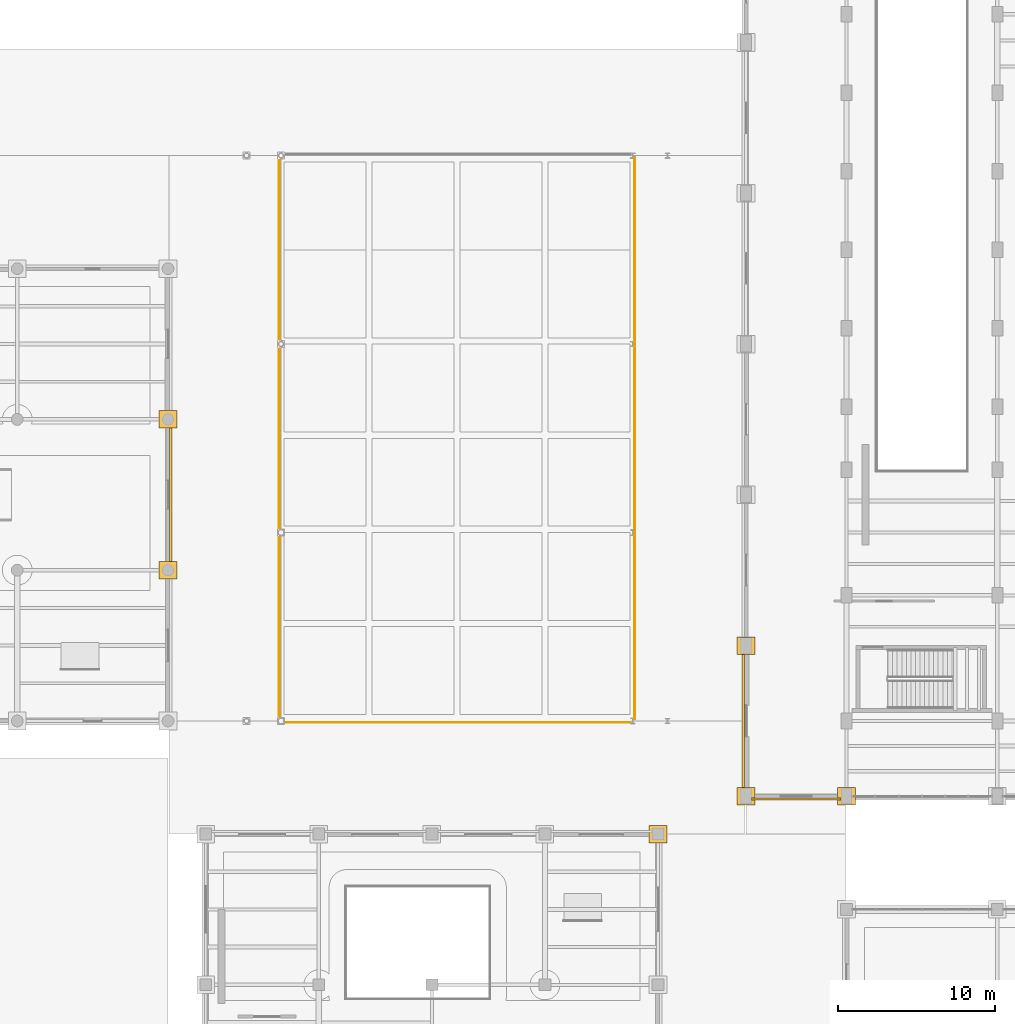
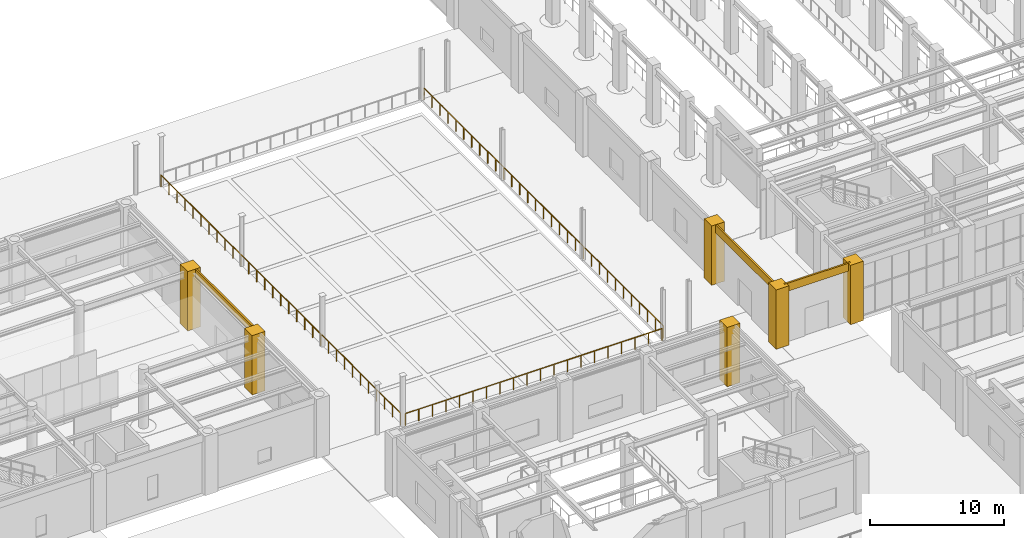
# One storey, part 151 of 164: 9 coverings, 3 railings.
"""IFC4 building model written with IfcOpenShell, lengths in metres."""

import ifcopenshell
import ifcopenshell.guid

model = None  # the IFC model being written
_history = None  # IfcOwnerHistory: only IFC2X3 demands one
_inside = {}  # id of a spatial element -> (the spatial element, [elements in it])
_under = {}  # id of a project, library or spatial element -> (it, [spatial elements below it])
_declared = {}  # id of a project -> (the project, [libraries it declares])
_typed = {}  # id of a type object -> (the type object, [elements of that type])
_made_of = {}  # id of a material, layer set ... -> (it, [elements and type objects made of it])


def new_model(schema):
    """Start an empty IFC model of exactly this schema.

    Asked for "IFC4X3", IfcOpenShell would pick the latest addendum, in which some entities
    have other attributes; the version numbers below select the first issue.
    IFC2X3 requires an IfcOwnerHistory on every rooted entity: one is made here for all.
    """
    global model, _history
    if schema == "IFC4X3":
        model = ifcopenshell.file(schema_version=(4, 3, 0, 0))
    else:
        model = ifcopenshell.file(schema=schema)
    _inside.clear()
    _under.clear()
    _declared.clear()
    _typed.clear()
    _made_of.clear()
    _history = None
    if model.schema == "IFC2X3":
        org = make("IfcOrganization", Name="unknown")
        user = make(
            "IfcPersonAndOrganization",
            ThePerson=make("IfcPerson", FamilyName="unknown"),
            TheOrganization=org,
        )
        app = make(
            "IfcApplication",
            ApplicationDeveloper=org,
            Version="unknown",
            ApplicationFullName="unknown",
            ApplicationIdentifier="unknown",
        )
        _history = make(
            "IfcOwnerHistory",
            OwningUser=user,
            OwningApplication=app,
            ChangeAction="ADDED",
            CreationDate=0,
        )
    return model


def make(cls, **values):
    """One entity of the class cls with the attributes given. An attribute that is None is left unset."""
    return model.create_entity(
        cls, **{name: value for name, value in values.items() if value is not None}
    )


def rooted(cls, **values):
    """An entity with a GlobalId (a new one), such as an element, a storey or a relation."""
    return make(cls, GlobalId=ifcopenshell.guid.new(), OwnerHistory=_history, **values)


def si_unit(unit_type, name, prefix=None):
    """IfcSIUnit, for example si_unit("LENGTHUNIT", "METRE", prefix="MILLI")."""
    return make("IfcSIUnit", UnitType=unit_type, Prefix=prefix, Name=name)


def assignment(units):
    """IfcUnitAssignment: the units of a project."""
    return None if units is None else make("IfcUnitAssignment", Units=units)


def point(xyz):
    """IfcCartesianPoint."""
    return None if xyz is None else make("IfcCartesianPoint", Coordinates=xyz)


def direction(xyz):
    """IfcDirection."""
    return None if xyz is None else make("IfcDirection", DirectionRatios=xyz)


def frame(location, z_axis=None, x_axis=None):
    """IfcAxis2Placement3D, a coordinate frame: its origin and axes. An axis left out is left unset."""
    return make(
        "IfcAxis2Placement3D",
        Location=point(location),
        Axis=direction(z_axis),
        RefDirection=direction(x_axis),
    )


def frame_2d(location, x_axis=None):
    """IfcAxis2Placement2D, a coordinate frame in the plane: its origin and x axis."""
    return make(
        "IfcAxis2Placement2D", Location=point(location), RefDirection=direction(x_axis)
    )


def origin():
    """The frame at (0, 0, 0) with its axes left unset."""
    return frame((0.0, 0.0, 0.0))


def origin_2d():
    """The frame at (0, 0) in the plane with its x axis left unset."""
    return frame_2d((0.0, 0.0))


def place(relative_to, where):
    """IfcLocalPlacement: puts the frame where relative to a parent placement (None: the world)."""
    return make(
        "IfcLocalPlacement", PlacementRelTo=relative_to, RelativePlacement=where
    )


def context(
    kind, dimensions, precision=None, world=None, true_north=None, identifier=None
):
    """IfcGeometricRepresentationContext, for example the 3D "Model" context."""
    return make(
        "IfcGeometricRepresentationContext",
        ContextIdentifier=identifier,
        ContextType=kind,
        CoordinateSpaceDimension=dimensions,
        Precision=precision,
        WorldCoordinateSystem=world,
        TrueNorth=true_north,
    )


def subcontext(parent, identifier, kind, view, scale=None):
    """IfcGeometricRepresentationSubContext, for example "Body" below "Model"."""
    return make(
        "IfcGeometricRepresentationSubContext",
        ContextIdentifier=identifier,
        ContextType=kind,
        ParentContext=parent,
        TargetScale=scale,
        TargetView=view,
    )


def project(units=None, contexts=None):
    """IfcProject with its units and contexts."""
    return rooted(
        "IfcProject",
        Name="project",
        RepresentationContexts=contexts,
        UnitsInContext=assignment(units),
    )


def spatial(cls, under=None, at=None, **own):
    """A site, building, storey or space (cls), placed at a placement, below another one or the project."""
    s = rooted(cls, ObjectPlacement=at, **own)
    if under is not None:
        _under.setdefault(under.id(), (under, []))[1].append(s)
    return s


def polyline(points):
    """IfcPolyline through the points."""
    return make("IfcPolyline", Points=[point(p) for p in points])


def profile(cls, at=None, kind="AREA", **sizes):
    """A parametric profile (cls). Its sizes go by their IFC names, for example OverallWidth=200.0."""
    return make(cls, ProfileType=kind, Position=at, **sizes)


def circle(**sizes):
    """IfcCircleProfileDef."""
    return profile("IfcCircleProfileDef", **sizes)


def outline(outer, holes=None, kind="AREA"):
    """IfcArbitraryClosedProfileDef: a profile drawn as a closed curve; with holes, ...WithVoids."""
    if holes is None:
        return make("IfcArbitraryClosedProfileDef", ProfileType=kind, OuterCurve=outer)
    return make(
        "IfcArbitraryProfileDefWithVoids",
        ProfileType=kind,
        OuterCurve=outer,
        InnerCurves=holes,
    )


def extrude(swept, where, along, depth):
    """IfcExtrudedAreaSolid: the profile swept, set in the frame where, extruded along a direction by depth."""
    return make(
        "IfcExtrudedAreaSolid",
        SweptArea=swept,
        Position=where,
        ExtrudedDirection=direction(along),
        Depth=depth,
    )


def shape(context_of_items, identifier, shape_type, items):
    """IfcShapeRepresentation: the items that make up one representation, for example the "Body"."""
    return make(
        "IfcShapeRepresentation",
        ContextOfItems=context_of_items,
        RepresentationIdentifier=identifier,
        RepresentationType=shape_type,
        Items=items,
    )


def material(Name=None, Category=None):
    """IfcMaterial."""
    return make("IfcMaterial", Name=Name, Category=Category)


def layer(
    of_material, thickness, ventilated=None, Name=None, Category=None, Priority=None
):
    """IfcMaterialLayer: one layer of a wall or slab, of a material (None: an air gap)."""
    return make(
        "IfcMaterialLayer",
        Material=of_material,
        LayerThickness=thickness,
        IsVentilated=ventilated,
        Name=Name,
        Category=Category,
        Priority=Priority,
    )


def layer_set(layers, Name=None):
    """IfcMaterialLayerSet."""
    return make("IfcMaterialLayerSet", MaterialLayers=layers, LayerSetName=Name)


def made_of(thing, what):
    """Note that an element or type object is made of a material, layer set ...; save() writes the relation."""
    if what is not None:
        _made_of.setdefault(what.id(), (what, []))[1].append(thing)
    return thing


def type_object(cls, material=None, **own):
    """A type object (cls), such as IfcWallType, which elements share."""
    return made_of(rooted(cls, **own), material)


def element(
    cls,
    number,
    at=None,
    inside=None,
    cuts=None,
    type_object=None,
    material=None,
    context=None,
    identifier="Body",
    shape_type=None,
    held_by="IfcProductDefinitionShape",
    body=None,
    shapes=None,
    **own,
):
    """One element of the class cls, such as IfcWall. Its Tag is "e" and its number.

    at: its placement. inside: the storey or other place that contains it. cuts: it is an
    opening in that element (IfcRelVoidsElement). A single representation is given by context,
    identifier, shape_type and body (its items); several are given by shapes. held_by: the class
    of the entity that holds the representations. save() writes the other relations.
    """
    e = rooted(cls, Tag="e%d" % number, ObjectPlacement=at, **own)
    if body is not None:
        shapes = [shape(context, identifier, shape_type, body)]
    if shapes is not None:
        e.Representation = make(held_by, Representations=shapes)
    if inside is not None:
        _inside.setdefault(inside.id(), (inside, []))[1].append(e)
    if cuts is not None:
        rooted(
            "IfcRelVoidsElement", RelatingBuildingElement=cuts, RelatedOpeningElement=e
        )
    if type_object is not None:
        _typed.setdefault(type_object.id(), (type_object, []))[1].append(e)
    return made_of(e, material)


def aggregate(whole, parts):
    """IfcRelAggregates: a whole, such as a stair, and the parts it consists of."""
    return rooted("IfcRelAggregates", RelatingObject=whole, RelatedObjects=parts)


def save(model, path):
    """Write the relations noted so far, then the file.

    IfcRelAggregates (storeys below a building ...), IfcRelContainedInSpatialStructure (elements
    in a storey), IfcRelDefinesByType, IfcRelAssociatesMaterial and IfcRelDeclares: one each for
    every whole, place, type object, material and project.
    """
    for whole, parts in _under.values():
        aggregate(whole, parts)
    for where, things in _inside.values():
        rooted(
            "IfcRelContainedInSpatialStructure",
            RelatedElements=things,
            RelatingStructure=where,
        )
    for kind, things in _typed.values():
        rooted("IfcRelDefinesByType", RelatedObjects=things, RelatingType=kind)
    for what, things in _made_of.values():
        rooted("IfcRelAssociatesMaterial", RelatedObjects=things, RelatingMaterial=what)
    for by, libraries in _declared.values():
        rooted("IfcRelDeclares", RelatingContext=by, RelatedDefinitions=libraries)
    model.write(path)


model = new_model("IFC4")

# Units and contexts
model_context = context("Model", 3, precision=1e-05, world=origin(), true_north=direction((0.0, 1.0)))
body_context = subcontext(model_context, "Body", "Model", "MODEL_VIEW")
ifc_project = project(units=[si_unit("LENGTHUNIT", "METRE"), si_unit("AREAUNIT", "SQUARE_METRE"), si_unit("VOLUMEUNIT", "CUBIC_METRE"), si_unit("PLANEANGLEUNIT", "RADIAN"), si_unit("MASSUNIT", "GRAM", prefix="KILO")], contexts=[model_context])

# Site, building, storey
site_placement = place(None, origin())
site = spatial("IfcSite", under=ifc_project, at=site_placement, CompositionType="ELEMENT")
building_placement = place(site_placement, origin())
building = spatial("IfcBuilding", under=site, at=building_placement, Name="Mavantir Sound Aquarium", CompositionType="ELEMENT")
storey_placement = place(building_placement, origin())
storey = spatial("IfcBuildingStorey", under=building, at=storey_placement, Name="L00", CompositionType="ELEMENT", Elevation=0.0)

# Coverings
ifc_material_1 = material(Name="Honed Coral-Limestone & Glazed Terracotta Rainscreen Cladding", Category="masonry")
ifc_layer = layer(ifc_material_1, 0.06005859375, Name="Honed Coral-Limestone & Glazed Terracotta Rainscreen Cladding")
ifc_layer_set = layer_set([ifc_layer], Name="Honed Coral-Limestone & Glazed Terracotta Rainscreen Cladding")
covering_type = type_object("IfcCoveringType", Name="COV-CLAD-TC", PredefinedType="CLADDING", material=ifc_layer_set)
covering_1_placement = place(storey_placement, frame((0.0, 0.0, 4.7080078125)))
element("IfcCovering", 1, at=covering_1_placement, inside=storey, type_object=covering_type, Name="L00 Postmodern coral-limestone spandrel frieze 32", PredefinedType="CLADDING", context=body_context, shape_type="SweptSolid", body=[
    extrude(outline(polyline([(64.889892578125, 50.782958984375), (64.889892578125, 59.616943359375), (65.0400390625, 59.616943359375), (65.0400390625, 50.782958984375), (64.889892578125, 50.782958984375)])), origin(), (0.0, 0.0, 1.0), 0.69189453125),
])
covering_2_placement = place(storey_placement, frame((0.0, 0.0, 4.68603515625)))
element("IfcCovering", 2, at=covering_2_placement, inside=storey, type_object=covering_type, Name="L00 Postmodern coral-limestone spandrel frieze 80", PredefinedType="CLADDING", context=body_context, shape_type="SweptSolid", body=[
    extrude(outline(polyline([(101.510009765625, 45.092041015625), (101.510009765625, 36.508056640625), (101.360107421875, 36.508056640625), (101.360107421875, 45.092041015625), (101.510009765625, 45.092041015625)])), origin(), (0.0, 0.0, 1.0), 0.7138671875),
])
covering_3_placement = place(storey_placement, frame((0.0, 0.0, 4.677978515625)))
element("IfcCovering", 3, at=covering_3_placement, inside=storey, type_object=covering_type, Name="L00 Postmodern coral-limestone spandrel frieze 81", PredefinedType="CLADDING", context=body_context, shape_type="SweptSolid", body=[
    extrude(outline(polyline([(101.9580078125, 35.909912109375), (107.64208984375, 35.909912109375), (107.64208984375, 35.760009765625), (101.9580078125, 35.760009765625), (101.9580078125, 35.909912109375)])), origin(), (0.0, 0.0, 1.0), 0.721923828125),
])
covering_4_placement = place(storey_placement, origin())
element("IfcCovering", 4, at=covering_4_placement, inside=storey, type_object=covering_type, Name="L00 Postmodern coral-limestone pilaster casing 153", PredefinedType="CLADDING", context=body_context, shape_type="SweptSolid", body=[
    extrude(outline(polyline([(64.239990234375, 49.840087890625), (65.360107421875, 49.840087890625), (65.360107421875, 50.9599609375), (64.239990234375, 50.9599609375), (64.239990234375, 49.840087890625)])), origin(), (0.0, 0.0, 1.0), 5.39990234375),
])
covering_5_placement = place(storey_placement, origin())
element("IfcCovering", 5, at=covering_5_placement, inside=storey, type_object=covering_type, Name="L00 Postmodern coral-limestone pilaster casing 155", PredefinedType="CLADDING", context=body_context, shape_type="SweptSolid", body=[
    extrude(outline(polyline([(64.239990234375, 59.43994140625), (65.360107421875, 59.43994140625), (65.360107421875, 60.56005859375), (64.239990234375, 60.56005859375), (64.239990234375, 59.43994140625)])), origin(), (0.0, 0.0, 1.0), 5.39990234375),
])
covering_6_placement = place(storey_placement, origin())
element("IfcCovering", 6, at=covering_6_placement, inside=storey, type_object=covering_type, Name="L00 Postmodern coral-limestone pilaster casing 211", PredefinedType="CLADDING", context=body_context, shape_type="SweptSolid", body=[
    extrude(outline(polyline([(101.0400390625, 35.43994140625), (102.159912109375, 35.43994140625), (102.159912109375, 36.56005859375), (101.0400390625, 36.56005859375), (101.0400390625, 35.43994140625)])), origin(), (0.0, 0.0, 1.0), 5.39990234375),
])
covering_7_placement = place(storey_placement, origin())
element("IfcCovering", 7, at=covering_7_placement, inside=storey, type_object=covering_type, Name="L00 Postmodern coral-limestone pilaster casing 213", PredefinedType="CLADDING", context=body_context, shape_type="SweptSolid", body=[
    extrude(outline(polyline([(101.0400390625, 45.0400390625), (102.159912109375, 45.0400390625), (102.159912109375, 46.159912109375), (101.0400390625, 46.159912109375), (101.0400390625, 45.0400390625)])), origin(), (0.0, 0.0, 1.0), 5.39990234375),
])
covering_8_placement = place(storey_placement, origin())
element("IfcCovering", 8, at=covering_8_placement, inside=storey, type_object=covering_type, Name="L00 Postmodern coral-limestone pilaster casing 227", PredefinedType="CLADDING", context=body_context, shape_type="SweptSolid", body=[
    extrude(outline(polyline([(107.43994140625, 35.43994140625), (108.56005859375, 35.43994140625), (108.56005859375, 36.56005859375), (107.43994140625, 36.56005859375), (107.43994140625, 35.43994140625)])), origin(), (0.0, 0.0, 1.0), 5.39990234375),
])
covering_9_placement = place(storey_placement, origin())
element("IfcCovering", 9, at=covering_9_placement, inside=storey, type_object=covering_type, Name="L00 Postmodern coral-limestone pilaster casing 489", PredefinedType="CLADDING", context=body_context, shape_type="SweptSolid", body=[
    extrude(outline(polyline([(95.43994140625, 33.0400390625), (96.56005859375, 33.0400390625), (96.56005859375, 34.159912109375), (95.43994140625, 34.159912109375), (95.43994140625, 33.0400390625)])), origin(), (0.0, 0.0, 1.0), 5.39990234375),
])

# Railings
ifc_material_2 = material(Name="Stainless Steel 316 and Laminated Glass Guardrail", Category="steel")
railing_type = type_object("IfcRailingType", Name="RL-GUARD-110", PredefinedType="GUARDRAIL", material=ifc_material_2)
railing_1_placement = place(storey_placement, frame((71.8798828125, 40.919921875, 0.0)))
element("IfcRailing", 10, at=railing_1_placement, inside=storey, type_object=railing_type, Name="L00 apron E guardrail 2", PredefinedType="GUARDRAIL", context=body_context, shape_type="SweptSolid", body=[
    extrude(circle(Radius=0.02392578125, at=origin_2d()), frame((0.0, 0.0, 1.076171875), z_axis=(0.0, 1.0, 0.0), x_axis=(-1.0, 0.0, 0.0)), (0.0, 0.0, 1.0), 35.760009765625),
    extrude(circle(Radius=0.02099609375, at=origin_2d()), origin(), (0.0, 0.0, 1.0), 1.052001953125),
    extrude(circle(Radius=0.02099609375, at=origin_2d()), frame((0.0, 1.19189453125, 0.0)), (0.0, 0.0, 1.0), 1.052001953125),
    extrude(circle(Radius=0.02099609375, at=origin_2d()), frame((0.0, 2.384033203125, 0.0)), (0.0, 0.0, 1.0), 1.052001953125),
    extrude(circle(Radius=0.02099609375, at=origin_2d()), frame((0.0, 3.575927734375, 0.0)), (0.0, 0.0, 1.0), 1.052001953125),
    extrude(circle(Radius=0.02099609375, at=origin_2d()), frame((0.0, 4.76806640625, 0.0)), (0.0, 0.0, 1.0), 1.052001953125),
    extrude(circle(Radius=0.02099609375, at=origin_2d()), frame((0.0, 5.9599609375, 0.0)), (0.0, 0.0, 1.0), 1.052001953125),
    extrude(circle(Radius=0.02099609375, at=origin_2d()), frame((0.0, 7.152099609375, 0.0)), (0.0, 0.0, 1.0), 1.052001953125),
    extrude(circle(Radius=0.02099609375, at=origin_2d()), frame((0.0, 8.343994140625, 0.0)), (0.0, 0.0, 1.0), 1.052001953125),
    extrude(circle(Radius=0.02099609375, at=origin_2d()), frame((0.0, 9.535888671875, 0.0)), (0.0, 0.0, 1.0), 1.052001953125),
    extrude(circle(Radius=0.02099609375, at=origin_2d()), frame((0.0, 10.72802734375, 0.0)), (0.0, 0.0, 1.0), 1.052001953125),
    extrude(circle(Radius=0.02099609375, at=origin_2d()), frame((0.0, 11.919921875, 0.0)), (0.0, 0.0, 1.0), 1.052001953125),
    extrude(circle(Radius=0.02099609375, at=origin_2d()), frame((0.0, 13.112060546875, 0.0)), (0.0, 0.0, 1.0), 1.052001953125),
    extrude(circle(Radius=0.02099609375, at=origin_2d()), frame((0.0, 14.303955078125, 0.0)), (0.0, 0.0, 1.0), 1.052001953125),
    extrude(circle(Radius=0.02099609375, at=origin_2d()), frame((0.0, 15.49609375, 0.0)), (0.0, 0.0, 1.0), 1.052001953125),
    extrude(circle(Radius=0.02099609375, at=origin_2d()), frame((0.0, 16.68798828125, 0.0)), (0.0, 0.0, 1.0), 1.052001953125),
    extrude(circle(Radius=0.02099609375, at=origin_2d()), frame((0.0, 17.8798828125, 0.0)), (0.0, 0.0, 1.0), 1.052001953125),
    extrude(circle(Radius=0.02099609375, at=origin_2d()), frame((0.0, 19.072021484375, 0.0)), (0.0, 0.0, 1.0), 1.052001953125),
    extrude(circle(Radius=0.02099609375, at=origin_2d()), frame((0.0, 20.263916015625, 0.0)), (0.0, 0.0, 1.0), 1.052001953125),
    extrude(circle(Radius=0.02099609375, at=origin_2d()), frame((0.0, 21.4560546875, 0.0)), (0.0, 0.0, 1.0), 1.052001953125),
    extrude(circle(Radius=0.02099609375, at=origin_2d()), frame((0.0, 22.64794921875, 0.0)), (0.0, 0.0, 1.0), 1.052001953125),
    extrude(circle(Radius=0.02099609375, at=origin_2d()), frame((0.0, 23.840087890625, 0.0)), (0.0, 0.0, 1.0), 1.052001953125),
    extrude(circle(Radius=0.02099609375, at=origin_2d()), frame((0.0, 25.031982421875, 0.0)), (0.0, 0.0, 1.0), 1.052001953125),
    extrude(circle(Radius=0.02099609375, at=origin_2d()), frame((0.0, 26.22412109375, 0.0)), (0.0, 0.0, 1.0), 1.052001953125),
    extrude(circle(Radius=0.02099609375, at=origin_2d()), frame((0.0, 27.416015625, 0.0)), (0.0, 0.0, 1.0), 1.052001953125),
    extrude(circle(Radius=0.02099609375, at=origin_2d()), frame((0.0, 28.60791015625, 0.0)), (0.0, 0.0, 1.0), 1.052001953125),
    extrude(circle(Radius=0.02099609375, at=origin_2d()), frame((0.0, 29.800048828125, 0.0)), (0.0, 0.0, 1.0), 1.052001953125),
    extrude(circle(Radius=0.02099609375, at=origin_2d()), frame((0.0, 30.991943359375, 0.0)), (0.0, 0.0, 1.0), 1.052001953125),
    extrude(circle(Radius=0.02099609375, at=origin_2d()), frame((0.0, 32.18408203125, 0.0)), (0.0, 0.0, 1.0), 1.052001953125),
    extrude(circle(Radius=0.02099609375, at=origin_2d()), frame((0.0, 33.3759765625, 0.0)), (0.0, 0.0, 1.0), 1.052001953125),
    extrude(circle(Radius=0.02099609375, at=origin_2d()), frame((0.0, 34.568115234375, 0.0)), (0.0, 0.0, 1.0), 1.052001953125),
    extrude(circle(Radius=0.02099609375, at=origin_2d()), frame((0.0, 35.760009765625, 0.0)), (0.0, 0.0, 1.0), 1.052001953125),
])
railing_2_placement = place(storey_placement, frame((94.52001953125, 40.919921875, 0.0)))
element("IfcRailing", 11, at=railing_2_placement, inside=storey, type_object=railing_type, Name="L00 apron W guardrail 3", PredefinedType="GUARDRAIL", context=body_context, shape_type="SweptSolid", body=[
    extrude(circle(Radius=0.02392578125, at=origin_2d()), frame((0.0, 0.0, 1.076171875), z_axis=(0.0, 1.0, 0.0), x_axis=(-1.0, 0.0, 0.0)), (0.0, 0.0, 1.0), 35.760009765625),
    extrude(circle(Radius=0.02099609375, at=origin_2d()), origin(), (0.0, 0.0, 1.0), 1.052001953125),
    extrude(circle(Radius=0.02099609375, at=origin_2d()), frame((0.0, 1.19189453125, 0.0)), (0.0, 0.0, 1.0), 1.052001953125),
    extrude(circle(Radius=0.02099609375, at=origin_2d()), frame((0.0, 2.384033203125, 0.0)), (0.0, 0.0, 1.0), 1.052001953125),
    extrude(circle(Radius=0.02099609375, at=origin_2d()), frame((0.0, 3.575927734375, 0.0)), (0.0, 0.0, 1.0), 1.052001953125),
    extrude(circle(Radius=0.02099609375, at=origin_2d()), frame((0.0, 4.76806640625, 0.0)), (0.0, 0.0, 1.0), 1.052001953125),
    extrude(circle(Radius=0.02099609375, at=origin_2d()), frame((0.0, 5.9599609375, 0.0)), (0.0, 0.0, 1.0), 1.052001953125),
    extrude(circle(Radius=0.02099609375, at=origin_2d()), frame((0.0, 7.152099609375, 0.0)), (0.0, 0.0, 1.0), 1.052001953125),
    extrude(circle(Radius=0.02099609375, at=origin_2d()), frame((0.0, 8.343994140625, 0.0)), (0.0, 0.0, 1.0), 1.052001953125),
    extrude(circle(Radius=0.02099609375, at=origin_2d()), frame((0.0, 9.535888671875, 0.0)), (0.0, 0.0, 1.0), 1.052001953125),
    extrude(circle(Radius=0.02099609375, at=origin_2d()), frame((0.0, 10.72802734375, 0.0)), (0.0, 0.0, 1.0), 1.052001953125),
    extrude(circle(Radius=0.02099609375, at=origin_2d()), frame((0.0, 11.919921875, 0.0)), (0.0, 0.0, 1.0), 1.052001953125),
    extrude(circle(Radius=0.02099609375, at=origin_2d()), frame((0.0, 13.112060546875, 0.0)), (0.0, 0.0, 1.0), 1.052001953125),
    extrude(circle(Radius=0.02099609375, at=origin_2d()), frame((0.0, 14.303955078125, 0.0)), (0.0, 0.0, 1.0), 1.052001953125),
    extrude(circle(Radius=0.02099609375, at=origin_2d()), frame((0.0, 15.49609375, 0.0)), (0.0, 0.0, 1.0), 1.052001953125),
    extrude(circle(Radius=0.02099609375, at=origin_2d()), frame((0.0, 16.68798828125, 0.0)), (0.0, 0.0, 1.0), 1.052001953125),
    extrude(circle(Radius=0.02099609375, at=origin_2d()), frame((0.0, 17.8798828125, 0.0)), (0.0, 0.0, 1.0), 1.052001953125),
    extrude(circle(Radius=0.02099609375, at=origin_2d()), frame((0.0, 19.072021484375, 0.0)), (0.0, 0.0, 1.0), 1.052001953125),
    extrude(circle(Radius=0.02099609375, at=origin_2d()), frame((0.0, 20.263916015625, 0.0)), (0.0, 0.0, 1.0), 1.052001953125),
    extrude(circle(Radius=0.02099609375, at=origin_2d()), frame((0.0, 21.4560546875, 0.0)), (0.0, 0.0, 1.0), 1.052001953125),
    extrude(circle(Radius=0.02099609375, at=origin_2d()), frame((0.0, 22.64794921875, 0.0)), (0.0, 0.0, 1.0), 1.052001953125),
    extrude(circle(Radius=0.02099609375, at=origin_2d()), frame((0.0, 23.840087890625, 0.0)), (0.0, 0.0, 1.0), 1.052001953125),
    extrude(circle(Radius=0.02099609375, at=origin_2d()), frame((0.0, 25.031982421875, 0.0)), (0.0, 0.0, 1.0), 1.052001953125),
    extrude(circle(Radius=0.02099609375, at=origin_2d()), frame((0.0, 26.22412109375, 0.0)), (0.0, 0.0, 1.0), 1.052001953125),
    extrude(circle(Radius=0.02099609375, at=origin_2d()), frame((0.0, 27.416015625, 0.0)), (0.0, 0.0, 1.0), 1.052001953125),
    extrude(circle(Radius=0.02099609375, at=origin_2d()), frame((0.0, 28.60791015625, 0.0)), (0.0, 0.0, 1.0), 1.052001953125),
    extrude(circle(Radius=0.02099609375, at=origin_2d()), frame((0.0, 29.800048828125, 0.0)), (0.0, 0.0, 1.0), 1.052001953125),
    extrude(circle(Radius=0.02099609375, at=origin_2d()), frame((0.0, 30.991943359375, 0.0)), (0.0, 0.0, 1.0), 1.052001953125),
    extrude(circle(Radius=0.02099609375, at=origin_2d()), frame((0.0, 32.18408203125, 0.0)), (0.0, 0.0, 1.0), 1.052001953125),
    extrude(circle(Radius=0.02099609375, at=origin_2d()), frame((0.0, 33.3759765625, 0.0)), (0.0, 0.0, 1.0), 1.052001953125),
    extrude(circle(Radius=0.02099609375, at=origin_2d()), frame((0.0, 34.568115234375, 0.0)), (0.0, 0.0, 1.0), 1.052001953125),
    extrude(circle(Radius=0.02099609375, at=origin_2d()), frame((0.0, 35.760009765625, 0.0)), (0.0, 0.0, 1.0), 1.052001953125),
])
railing_3_placement = place(storey_placement, frame((72.14990234375, 40.699951171875, 0.0)))
element("IfcRailing", 12, at=railing_3_placement, inside=storey, type_object=railing_type, Name="Tidal basin south balustrade", PredefinedType="GUARDRAIL", context=body_context, shape_type="SweptSolid", body=[
    extrude(circle(Radius=0.02392578125, at=origin_2d()), frame((0.0, 0.0, 1.076171875), z_axis=(1.0, 0.0, 0.0), x_axis=(0.0, 1.0, 0.0)), (0.0, 0.0, 1.0), 22.10009765625),
    extrude(circle(Radius=0.02099609375, at=origin_2d()), origin(), (0.0, 0.0, 1.0), 1.052001953125),
    extrude(circle(Radius=0.02099609375, at=origin_2d()), frame((1.1630859375, 0.0, 0.0)), (0.0, 0.0, 1.0), 1.052001953125),
    extrude(circle(Radius=0.02099609375, at=origin_2d()), frame((2.326416015625, 0.0, 0.0)), (0.0, 0.0, 1.0), 1.052001953125),
    extrude(circle(Radius=0.02099609375, at=origin_2d()), frame((3.489501953125, 0.0, 0.0)), (0.0, 0.0, 1.0), 1.052001953125),
    extrude(circle(Radius=0.02099609375, at=origin_2d()), frame((4.652587890625, 0.0, 0.0)), (0.0, 0.0, 1.0), 1.052001953125),
    extrude(circle(Radius=0.02099609375, at=origin_2d()), frame((5.81591796875, 0.0, 0.0)), (0.0, 0.0, 1.0), 1.052001953125),
    extrude(circle(Radius=0.02099609375, at=origin_2d()), frame((6.97900390625, 0.0, 0.0)), (0.0, 0.0, 1.0), 1.052001953125),
    extrude(circle(Radius=0.02099609375, at=origin_2d()), frame((8.14208984375, 0.0, 0.0)), (0.0, 0.0, 1.0), 1.052001953125),
    extrude(circle(Radius=0.02099609375, at=origin_2d()), frame((9.305419921875, 0.0, 0.0)), (0.0, 0.0, 1.0), 1.052001953125),
    extrude(circle(Radius=0.02099609375, at=origin_2d()), frame((10.468505859375, 0.0, 0.0)), (0.0, 0.0, 1.0), 1.052001953125),
    extrude(circle(Radius=0.02099609375, at=origin_2d()), frame((11.631591796875, 0.0, 0.0)), (0.0, 0.0, 1.0), 1.052001953125),
    extrude(circle(Radius=0.02099609375, at=origin_2d()), frame((12.794677734375, 0.0, 0.0)), (0.0, 0.0, 1.0), 1.052001953125),
    extrude(circle(Radius=0.02099609375, at=origin_2d()), frame((13.9580078125, 0.0, 0.0)), (0.0, 0.0, 1.0), 1.052001953125),
    extrude(circle(Radius=0.02099609375, at=origin_2d()), frame((15.12109375, 0.0, 0.0)), (0.0, 0.0, 1.0), 1.052001953125),
    extrude(circle(Radius=0.02099609375, at=origin_2d()), frame((16.2841796875, 0.0, 0.0)), (0.0, 0.0, 1.0), 1.052001953125),
    extrude(circle(Radius=0.02099609375, at=origin_2d()), frame((17.447509765625, 0.0, 0.0)), (0.0, 0.0, 1.0), 1.052001953125),
    extrude(circle(Radius=0.02099609375, at=origin_2d()), frame((18.610595703125, 0.0, 0.0)), (0.0, 0.0, 1.0), 1.052001953125),
    extrude(circle(Radius=0.02099609375, at=origin_2d()), frame((19.773681640625, 0.0, 0.0)), (0.0, 0.0, 1.0), 1.052001953125),
    extrude(circle(Radius=0.02099609375, at=origin_2d()), frame((20.93701171875, 0.0, 0.0)), (0.0, 0.0, 1.0), 1.052001953125),
    extrude(circle(Radius=0.02099609375, at=origin_2d()), frame((22.10009765625, 0.0, 0.0)), (0.0, 0.0, 1.0), 1.052001953125),
])

save(model, "model.ifc")
